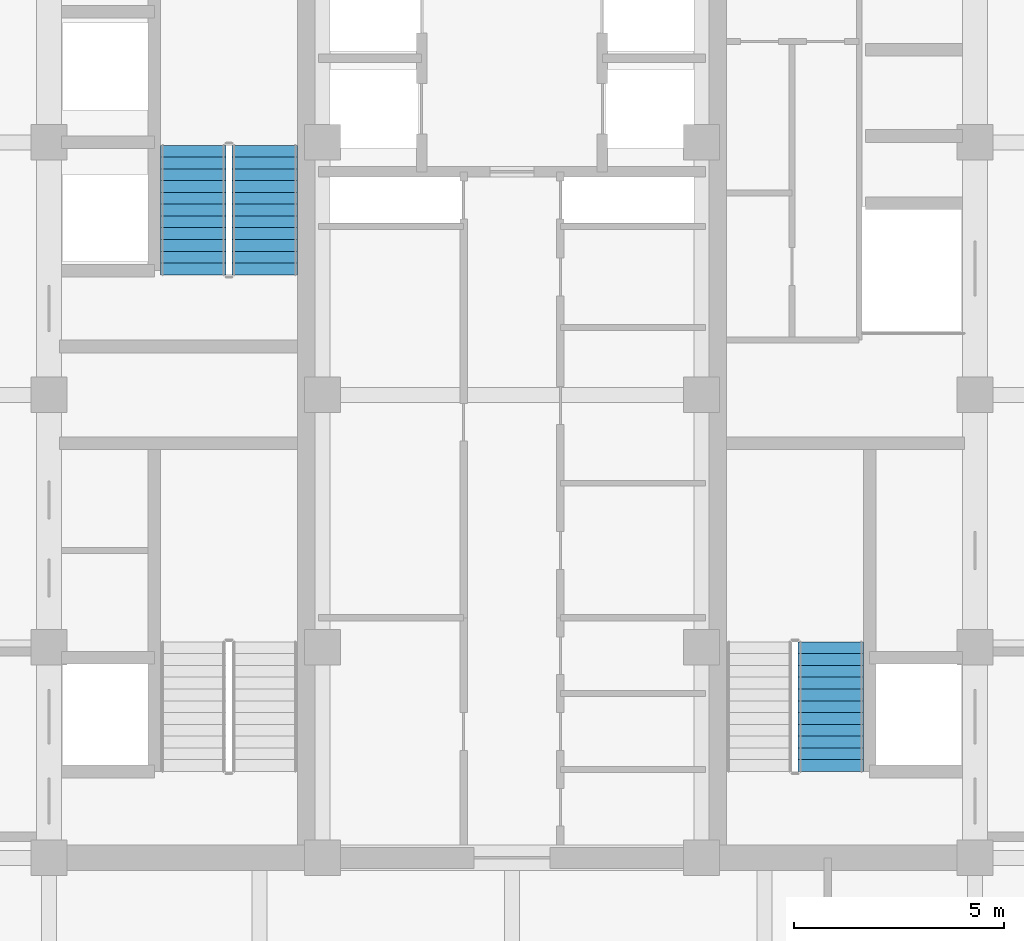
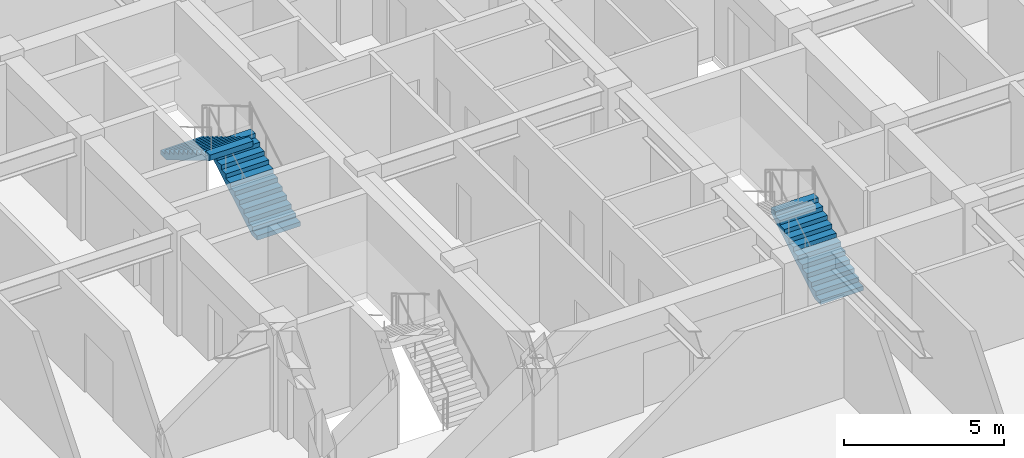
# One storey, part 24 of 25: 3 stair flights, 2 elements without a shape of their own.
"""IFC4 building model written with IfcOpenShell, lengths in metres."""

from ifc_helpers import new_model, si_unit, direction, frame, origin, place, context, subcontext, project, spatial, polyline, outline, extrude, source, transform, mapped, material, type_object, element, aggregate, save


model = new_model("IFC4")

# Units and contexts
model_context = context("Model", 3, precision=1e-05, world=origin(), true_north=direction((0.0, 1.0)))
body_context = subcontext(model_context, "Body", "Model", "MODEL_VIEW")
ifc_project = project(units=[si_unit("LENGTHUNIT", "METRE"), si_unit("AREAUNIT", "SQUARE_METRE"), si_unit("VOLUMEUNIT", "CUBIC_METRE"), si_unit("PLANEANGLEUNIT", "RADIAN"), si_unit("MASSUNIT", "GRAM", prefix="KILO")], contexts=[model_context])

# Site, building, storey
site_placement = place(None, origin())
site = spatial("IfcSite", under=ifc_project, at=site_placement, CompositionType="ELEMENT")
building_placement = place(site_placement, origin())
building = spatial("IfcBuilding", under=site, at=building_placement, Name="Khorayat Bourse Tower", CompositionType="ELEMENT")
storey_placement = place(building_placement, frame((0.0, 0.0, 227.10009765625)))
storey = spatial("IfcBuildingStorey", under=building, at=storey_placement, Name="L53", CompositionType="ELEMENT", Elevation=227.10009765625)

# Stair, stair flights
ifc_material = material(Name="Concrete C40/50", Category="concrete")
stair_type = type_object("IfcStairType", Name="STR-CORE-1550", PredefinedType="HALF_TURN_STAIR", material=ifc_material)
stair_1_placement = place(storey_placement, origin())
stair_1 = element("IfcStair", 1, at=stair_1_placement, inside=storey, type_object=stair_type, Name="L53 Exit Stair ST-2", PredefinedType="HALF_TURN_STAIR")
stair_flight_type = type_object("IfcStairFlightType", Name="FLT-CORE-1550", PredefinedType="STRAIGHT", material=ifc_material)
shared_shape = source(origin(), body_context, "Body", "SweptSolid", [
    extrude(outline(polyline([(0.0, 0.0), (0.0, 0.166748046875), (0.280029296875, 0.166748046875), (0.280029296875, 0.333251953125), (0.56005859375, 0.333251953125), (0.56005859375, 0.5), (0.840087890625, 0.5), (0.840087890625, 0.666748046875), (1.1201171875, 0.666748046875), (1.1201171875, 0.833251953125), (1.39990234375, 0.833251953125), (1.39990234375, 1.0), (1.679931640625, 1.0), (1.679931640625, 1.166748046875), (1.9599609375, 1.166748046875), (1.9599609375, 1.333251953125), (2.239990234375, 1.333251953125), (2.239990234375, 1.5), (2.52001953125, 1.5), (2.52001953125, 1.666748046875), (2.800048828125, 1.666748046875), (2.800048828125, 1.833251953125), (3.080078125, 1.833251953125), (3.080078125, 2.0), (3.080078125, 1.6240234375), (0.351806640625, 0.0), (0.0, 0.0)])), frame((0.0, 0.77490234375, 0.0), z_axis=(0.0, -1.0, 0.0), x_axis=(1.0, 0.0, 0.0)), (0.0, 0.0, 1.0), 1.550048828125),
])
stair_flight_1_placement = place(storey_placement, frame((-5.875, 2.85009765625, 0.0), z_axis=(0.0, 0.0, 1.0), x_axis=(0.0, 1.0, 0.0)))
stair_flight_1 = element("IfcStairFlight", 2, at=stair_flight_1_placement, type_object=stair_flight_type, Name="ST-2 flight 1", NumberOfRisers=12, NumberOfTreads=11, PredefinedType="STRAIGHT", RiserHeight=0.166666667, TreadLength=0.28, context=body_context, shape_type="MappedRepresentation", body=[
    mapped(shared_shape, transform((0.0, 0.0, 0.0), scale=1.0)),
])
stair_flight_2_placement = place(storey_placement, frame((-7.574951171875, 5.929931640625, 2.0), z_axis=(0.0, 0.0, 1.0), x_axis=(0.0, -1.0, 0.0)))
stair_flight_2 = element("IfcStairFlight", 3, at=stair_flight_2_placement, type_object=stair_flight_type, Name="ST-2 flight 2", NumberOfRisers=12, NumberOfTreads=11, PredefinedType="STRAIGHT", RiserHeight=0.166666667, TreadLength=0.28, context=body_context, shape_type="MappedRepresentation", body=[
    mapped(shared_shape, transform((0.0, 0.0, 0.0), scale=1.0)),
])
aggregate(stair_1, [stair_flight_1, stair_flight_2])

# Stair, stair flight
stair_2_placement = place(storey_placement, origin())
stair_2 = element("IfcStair", 4, at=stair_2_placement, inside=storey, type_object=stair_type, Name="L53 Exit Stair ST-3", PredefinedType="HALF_TURN_STAIR")
stair_flight_3_placement = place(storey_placement, frame((7.574951171875, -8.949951171875, 0.0), z_axis=(0.0, 0.0, 1.0), x_axis=(0.0, 1.0, 0.0)))
stair_flight_3 = element("IfcStairFlight", 5, at=stair_flight_3_placement, type_object=stair_flight_type, Name="ST-3 flight 1", NumberOfRisers=12, NumberOfTreads=11, PredefinedType="STRAIGHT", RiserHeight=0.166666667, TreadLength=0.28, context=body_context, shape_type="MappedRepresentation", body=[
    mapped(shared_shape, transform((0.0, 0.0, 0.0), scale=1.0)),
])
aggregate(stair_2, [stair_flight_3])

save(model, "model.ifc")
